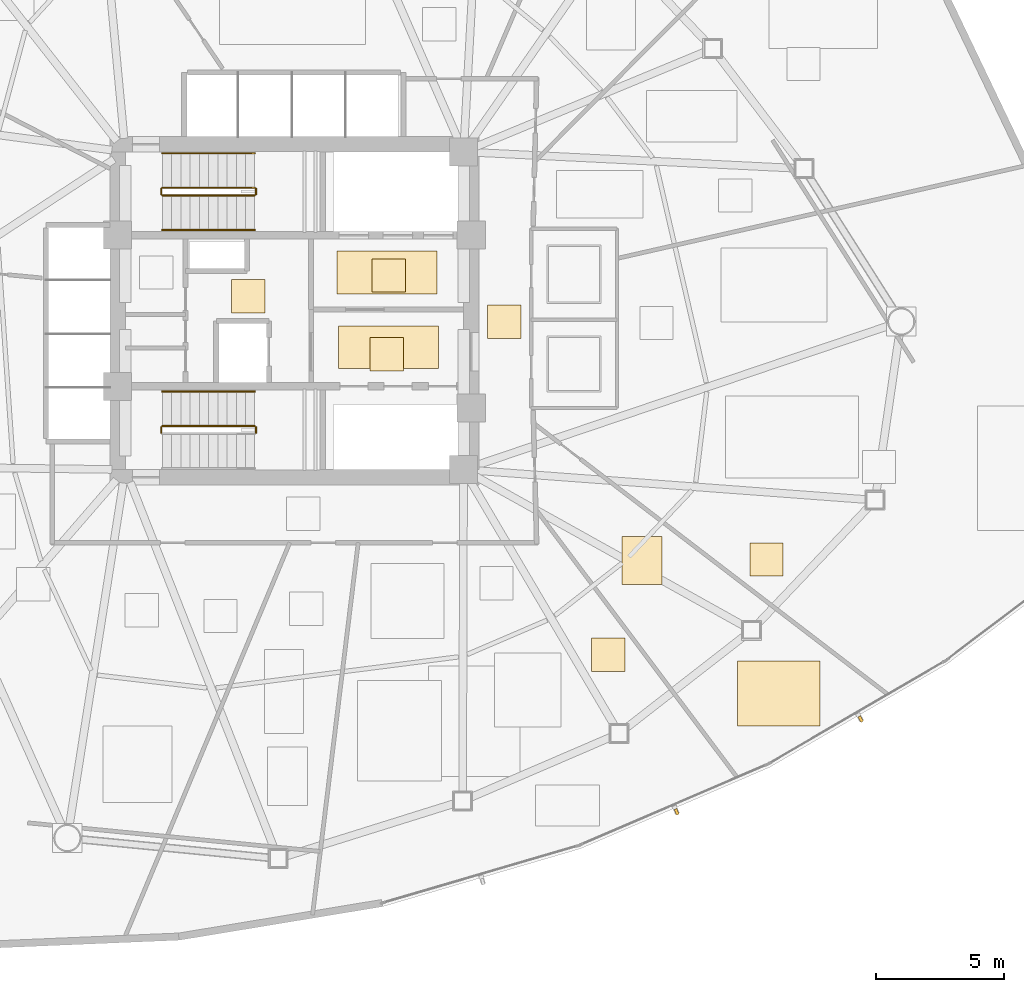
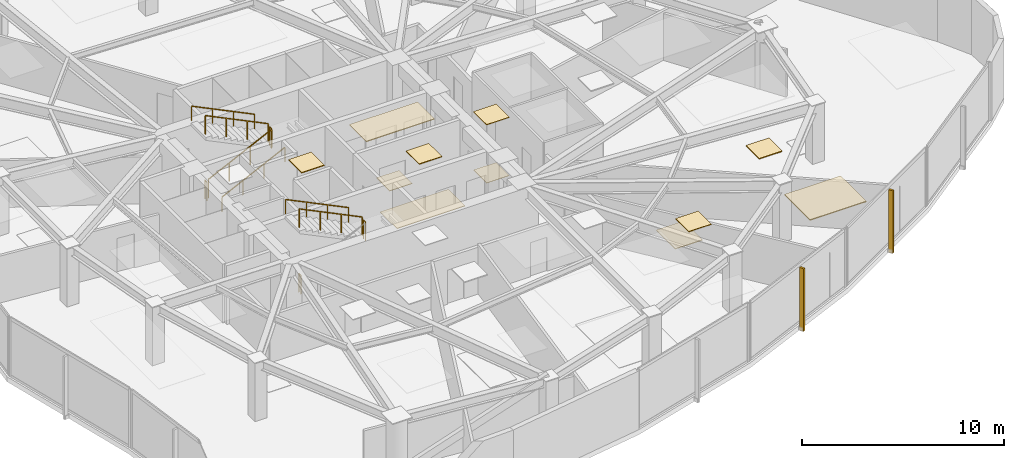
# One storey, part 15 of 17: 11 coverings, 10 railings, 2 shading devices.
"""IFC4 building model written with IfcOpenShell, lengths in metres."""

from ifc_helpers import new_model, si_unit, direction, frame, origin, origin_2d, place, context, subcontext, project, spatial, polyline, rectangle, outline, extrude, source, transform, mapped, material, layer, layer_set, type_object, type_shapes, element, save


model = new_model("IFC4")

# Units and contexts
model_context = context("Model", 3, precision=1e-05, world=origin(), true_north=direction((0.0, 1.0)))
body_context = subcontext(model_context, "Body", "Model", "MODEL_VIEW")
ifc_project = project(units=[si_unit("LENGTHUNIT", "METRE"), si_unit("AREAUNIT", "SQUARE_METRE"), si_unit("VOLUMEUNIT", "CUBIC_METRE"), si_unit("PLANEANGLEUNIT", "RADIAN"), si_unit("MASSUNIT", "GRAM", prefix="KILO")], contexts=[model_context])

# Site, building, storey
site_placement = place(None, origin())
site = spatial("IfcSite", under=ifc_project, at=site_placement, CompositionType="ELEMENT")
building_placement = place(site_placement, origin())
building = spatial("IfcBuilding", under=site, at=building_placement, Name="Tavelor Broadcast Tower", CompositionType="ELEMENT")
storey_placement = place(building_placement, frame((0.0, 0.0, 115.60009765625)))
storey = spatial("IfcBuildingStorey", under=building, at=storey_placement, Name="L26", CompositionType="ELEMENT", Elevation=115.60009765625)

# Coverings
ifc_material_1 = material(Name="Copper-Bronze Anodized Aluminium", Category="aluminium")
ifc_layer_1 = layer(ifc_material_1, 0.044921875)
ifc_layer_set_1 = layer_set([ifc_layer_1], Name="Copper-Bronze Anodized Aluminium")
covering_type_1 = type_object("IfcCoveringType", Name="Anodised Bronze Linear Slatted Concourse Ceiling 45 mm", PredefinedType="CEILING", material=ifc_layer_set_1)
covering_1_placement = place(storey_placement, frame((0.0, 0.0, 3.5048828125)))
element("IfcCovering", 1, at=covering_1_placement, inside=storey, type_object=covering_type_1, Name="L26 Suspended Acoustic Ceiling 1004", PredefinedType="CEILING", context=body_context, shape_type="SweptSolid", body=[
    extrude(outline(polyline([(51.659912109375, 45.654296875), (55.55712890625, 45.654296875), (55.55712890625, 47.331787109375), (51.659912109375, 47.331787109375), (51.659912109375, 45.654296875)])), origin(), (0.0, 0.0, 1.0), 0.044921875),
])
covering_2_placement = place(storey_placement, frame((0.0, 0.0, 3.5048828125)))
element("IfcCovering", 2, at=covering_2_placement, inside=storey, type_object=covering_type_1, Name="L26 Suspended Acoustic Ceiling 1005", PredefinedType="CEILING", context=body_context, shape_type="SweptSolid", body=[
    extrude(outline(polyline([(52.95361328125, 42.656982421875), (54.25341796875, 42.656982421875), (54.25341796875, 43.95703125), (52.95361328125, 43.95703125), (52.95361328125, 42.656982421875)])), origin(), (0.0, 0.0, 1.0), 0.044921875),
])
covering_3_placement = place(storey_placement, frame((0.0, 0.0, 3.5048828125)))
element("IfcCovering", 3, at=covering_3_placement, inside=storey, type_object=covering_type_1, Name="L26 Suspended Acoustic Ceiling 1006", PredefinedType="CEILING", context=body_context, shape_type="SweptSolid", body=[
    extrude(outline(polyline([(47.544921875, 44.919921875), (48.844970703125, 44.919921875), (48.844970703125, 46.219970703125), (47.544921875, 46.219970703125), (47.544921875, 44.919921875)])), origin(), (0.0, 0.0, 1.0), 0.044921875),
])

# Railings
ifc_material_2 = material(Name="Steel S355", Category="steel")
railing_type_1 = type_object("IfcRailingType", Name="Continuous Brushed Stainless Handrail 900 mm", PredefinedType="HANDRAIL", material=ifc_material_2)
railing_1_placement = place(storey_placement, frame((44.85009765625, 48.14990234375, 0.1748046875)))
element("IfcRailing", 4, at=railing_1_placement, inside=storey, type_object=railing_type_1, Name="L26 ST1 stair handrail 1", PredefinedType="HANDRAIL", context=body_context, shape_type="SweptSolid", body=[
    extrude(rectangle(XDim=0.048095703125, YDim=0.048095703125, at=origin_2d()), frame((0.0, 0.0, 0.8759765625), z_axis=(0.899360859046, 0.0, 0.437207096483), x_axis=(0.0, 1.0, 0.0)), (0.0, 0.0, 1.0), 4.002685546875),
    extrude(rectangle(XDim=0.0419921875, YDim=0.0419921875, at=origin_2d()), origin(), (0.0, 0.0, 1.0), 0.851806640625),
    extrude(rectangle(XDim=0.0419921875, YDim=0.0419921875, at=origin_2d()), frame((1.199951171875, 0.0, 0.583251953125)), (0.0, 0.0, 1.0), 0.851806640625),
    extrude(rectangle(XDim=0.0419921875, YDim=0.0419921875, at=origin_2d()), frame((2.39990234375, 0.0, 1.166748046875)), (0.0, 0.0, 1.0), 0.851806640625),
    extrude(rectangle(XDim=0.0419921875, YDim=0.0419921875, at=origin_2d()), frame((3.599853515625, 0.0, 1.75)), (0.0, 0.0, 1.0), 0.851806640625),
])
for number, where, name in (
    (5, (48.449951171875, 51.14990234375, 2.099853515625), "L26 ST1 stair handrail 2"),
    (6, (48.449951171875, 41.85009765625, 2.099853515625), "L26 ST2 stair handrail 2"),
):
    element("IfcRailing", number, at=place(storey_placement, frame(where)), inside=storey, type_object=railing_type_1, Name=name, PredefinedType="HANDRAIL", context=body_context, shape_type="SweptSolid", body=[
        extrude(rectangle(XDim=0.048095703125, YDim=0.048095703125, at=origin_2d()), frame((0.0, 0.0, 0.8759765625), z_axis=(-0.899360859046, 0.0, 0.437207096483), x_axis=(0.0, -1.0, 0.0)), (0.0, 0.0, 1.0), 4.002685546875),
        extrude(rectangle(XDim=0.0419921875, YDim=0.0419921875, at=origin_2d()), origin(), (0.0, 0.0, 1.0), 0.851806640625),
        extrude(rectangle(XDim=0.0419921875, YDim=0.0419921875, at=origin_2d()), frame((-1.199951171875, 0.0, 0.583251953125)), (0.0, 0.0, 1.0), 0.851806640625),
        extrude(rectangle(XDim=0.0419921875, YDim=0.0419921875, at=origin_2d()), frame((-2.39990234375, 0.0, 1.166748046875)), (0.0, 0.0, 1.0), 0.851806640625),
        extrude(rectangle(XDim=0.0419921875, YDim=0.0419921875, at=origin_2d()), frame((-3.599853515625, 0.0, 1.75)), (0.0, 0.0, 1.0), 0.851806640625),
    ])

# Coverings
ifc_material_3 = material(Name="Architectural Anodized Aluminium", Category="aluminium")
ifc_layer_2 = layer(ifc_material_3, 0.034912109375)
ifc_layer_set_2 = layer_set([ifc_layer_2], Name="Architectural Anodized Aluminium")
covering_type_2 = type_object("IfcCoveringType", Name="Demountable Metal Tile Corridor Ceiling 35 mm", PredefinedType="CEILING", material=ifc_layer_set_2)
covering_4_placement = place(storey_placement, frame((0.0, 0.0, 3.514892578125)))
element("IfcCovering", 7, at=covering_4_placement, inside=storey, type_object=covering_type_2, Name="L26 Suspended Acoustic Ceiling 1009", PredefinedType="CEILING", context=body_context, shape_type="SweptSolid", body=[
    extrude(outline(polyline([(57.5400390625, 43.925048828125), (58.840087890625, 43.925048828125), (58.840087890625, 45.22509765625), (57.5400390625, 45.22509765625), (57.5400390625, 43.925048828125)])), origin(), (0.0, 0.0, 1.0), 0.034912109375),
])
ifc_material_4 = material(Name="Acoustic Nylon Carpet Tile")
ifc_layer_3 = layer(ifc_material_4, 0.02001953125)
ifc_layer_set_3 = layer_set([ifc_layer_3], Name="Acoustic Nylon Carpet Tile")
covering_type_3 = type_object("IfcCoveringType", Name="Heavy-Duty Acoustic Broadcast Carpet Tile 20 mm", PredefinedType="FLOORING", material=ifc_layer_set_3)
covering_5_placement = place(storey_placement, origin())
element("IfcCovering", 8, at=covering_5_placement, inside=storey, type_object=covering_type_3, Name="L26 Broadcast Floor Finish 0354", PredefinedType="FLOORING", context=body_context, shape_type="SweptSolid", body=[
    extrude(outline(polyline([(57.5400390625, 43.925048828125), (58.840087890625, 43.925048828125), (58.840087890625, 45.22509765625), (57.5400390625, 45.22509765625), (57.5400390625, 43.925048828125)])), origin(), (0.0, 0.0, 1.0), 0.02001953125),
])
ifc_material_5 = material(Name="Honed Natural Limestone Tile", Category="masonry")
ifc_layer_4 = layer(ifc_material_5, 0.030029296875)
ifc_layer_set_4 = layer_set([ifc_layer_4], Name="Honed Natural Limestone Tile")
covering_type_4 = type_object("IfcCoveringType", Name="Honed Jerusalem Limestone Concourse Flooring 30 mm", PredefinedType="FLOORING", material=ifc_layer_set_4)
covering_6_placement = place(storey_placement, origin())
element("IfcCovering", 9, at=covering_6_placement, inside=storey, type_object=covering_type_4, Name="L26 Broadcast Floor Finish 0352", PredefinedType="FLOORING", context=body_context, shape_type="SweptSolid", body=[
    extrude(outline(polyline([(53.030029296875, 45.728515625), (54.330078125, 45.728515625), (54.330078125, 47.028564453125), (53.030029296875, 47.028564453125), (53.030029296875, 45.728515625)])), origin(), (0.0, 0.0, 1.0), 0.02978515625),
])
covering_7_placement = place(storey_placement, origin())
element("IfcCovering", 10, at=covering_7_placement, inside=storey, type_object=covering_type_4, Name="L26 Broadcast Floor Finish 0353", PredefinedType="FLOORING", context=body_context, shape_type="SweptSolid", body=[
    extrude(outline(polyline([(51.728759765625, 42.743408203125), (55.62109375, 42.743408203125), (55.62109375, 44.396484375), (51.728759765625, 44.396484375), (51.728759765625, 42.743408203125)])), origin(), (0.0, 0.0, 1.0), 0.02978515625),
])
ifc_material_6 = material(Name="Acoustic Hardwood Studio Flooring", Category="wood")
ifc_layer_5 = layer(ifc_material_6, 0.034912109375)
ifc_layer_set_5 = layer_set([ifc_layer_5], Name="Acoustic Hardwood Studio Flooring")
covering_type_5 = type_object("IfcCoveringType", Name="Isolated Studio Acoustic Elastomeric Floor Finish 35 mm", PredefinedType="FLOORING", material=ifc_layer_set_5)
covering_8_placement = place(storey_placement, origin())
element("IfcCovering", 11, at=covering_8_placement, inside=storey, type_object=covering_type_5, Name="L26 Broadcast Floor Finish 0359", PredefinedType="FLOORING", context=body_context, shape_type="SweptSolid", body=[
    extrude(outline(polyline([(62.781494140625, 34.31884765625), (64.33544921875, 34.31884765625), (64.33544921875, 36.1962890625), (62.781494140625, 36.1962890625), (62.781494140625, 34.31884765625)])), origin(), (0.0, 0.0, 1.0), 0.034912109375),
])
ifc_material_7 = material(Name="Acoustic Perforated Timber Baffle", Category="wood")
ifc_layer_6 = layer(ifc_material_7, 0.054931640625)
ifc_layer_set_6 = layer_set([ifc_layer_6], Name="Acoustic Perforated Timber Baffle")
covering_type_6 = type_object("IfcCoveringType", Name="Micro-Perforated Acoustic Baffle Studio Ceiling 55 mm", PredefinedType="CEILING", material=ifc_layer_set_6)
covering_9_placement = place(storey_placement, frame((0.0, 0.0, 3.494873046875)))
element("IfcCovering", 12, at=covering_9_placement, inside=storey, type_object=covering_type_6, Name="L26 Suspended Acoustic Ceiling 1020", PredefinedType="CEILING", context=body_context, shape_type="SweptSolid", body=[
    extrude(outline(polyline([(67.7705078125, 34.64599609375), (69.0703125, 34.64599609375), (69.0703125, 35.946044921875), (67.7705078125, 35.946044921875), (67.7705078125, 34.64599609375)])), origin(), (0.0, 0.0, 1.0), 0.054931640625),
])
covering_10_placement = place(storey_placement, frame((0.0, 0.0, 3.494873046875)))
element("IfcCovering", 13, at=covering_10_placement, inside=storey, type_object=covering_type_6, Name="L26 Suspended Acoustic Ceiling 1021", PredefinedType="CEILING", context=body_context, shape_type="SweptSolid", body=[
    extrude(outline(polyline([(67.29833984375, 28.804931640625), (70.514892578125, 28.804931640625), (70.514892578125, 31.342041015625), (67.29833984375, 31.342041015625), (67.29833984375, 28.804931640625)])), origin(), (0.0, 0.0, 1.0), 0.054931640625),
])

# Railings
railing_type_2 = type_object("IfcRailingType", Name="Stairwell Steel Safety Guardrail 1150 mm", PredefinedType="GUARDRAIL", material=ifc_material_2)
railing_2_placement = place(storey_placement, frame((44.85009765625, 49.5, 0.1748046875)))
element("IfcRailing", 14, at=railing_2_placement, inside=storey, type_object=railing_type_2, Name="L26 ST1 stair guard 1", PredefinedType="GUARDRAIL", context=body_context, shape_type="SweptSolid", body=[
    extrude(rectangle(XDim=0.048095703125, YDim=0.048095703125, at=origin_2d()), frame((0.0, 0.0, 1.1259765625), z_axis=(0.899360859046, 0.0, 0.437207096483), x_axis=(0.0, 1.0, 0.0)), (0.0, 0.0, 1.0), 4.002685546875),
    extrude(rectangle(XDim=0.0419921875, YDim=0.0419921875, at=origin_2d()), origin(), (0.0, 0.0, 1.0), 1.101806640625),
    extrude(rectangle(XDim=0.0419921875, YDim=0.0419921875, at=origin_2d()), frame((1.199951171875, 0.0, 0.583251953125)), (0.0, 0.0, 1.0), 1.101806640625),
    extrude(rectangle(XDim=0.0419921875, YDim=0.0419921875, at=origin_2d()), frame((2.39990234375, 0.0, 1.166748046875)), (0.0, 0.0, 1.0), 1.101806640625),
    extrude(rectangle(XDim=0.0419921875, YDim=0.0419921875, at=origin_2d()), frame((3.599853515625, 0.0, 1.75)), (0.0, 0.0, 1.0), 1.101806640625),
])
railing_3_placement = place(storey_placement, frame((48.5, 49.550048828125, 1.9248046875)))
element("IfcRailing", 15, at=railing_3_placement, inside=storey, type_object=railing_type_2, Name="L26 ST1 stair guard 2", PredefinedType="GUARDRAIL", context=body_context, shape_type="SweptSolid", body=[
    extrude(rectangle(XDim=0.048095703125, YDim=0.048095703125, at=origin_2d()), frame((0.0, 0.0, 1.1259765625), z_axis=(0.0, 1.0, 0.0), x_axis=(-1.0, 0.0, 0.0)), (0.0, 0.0, 1.0), 0.199951171875),
    extrude(rectangle(XDim=0.0419921875, YDim=0.0419921875, at=origin_2d()), origin(), (0.0, 0.0, 1.0), 1.101806640625),
    extrude(rectangle(XDim=0.0419921875, YDim=0.0419921875, at=origin_2d()), frame((0.0, 0.199951171875, 0.0)), (0.0, 0.0, 1.0), 1.101806640625),
])
railing_4_placement = place(storey_placement, frame((48.449951171875, 49.800048828125, 2.099853515625)))
element("IfcRailing", 16, at=railing_4_placement, inside=storey, type_object=railing_type_2, Name="L26 ST1 stair guard 3", PredefinedType="GUARDRAIL", context=body_context, shape_type="SweptSolid", body=[
    extrude(rectangle(XDim=0.048095703125, YDim=0.048095703125, at=origin_2d()), frame((0.0, 0.0, 1.1259765625), z_axis=(-0.899360859046, 0.0, 0.437207096483), x_axis=(0.0, -1.0, 0.0)), (0.0, 0.0, 1.0), 4.002685546875),
    extrude(rectangle(XDim=0.0419921875, YDim=0.0419921875, at=origin_2d()), origin(), (0.0, 0.0, 1.0), 1.101806640625),
    extrude(rectangle(XDim=0.0419921875, YDim=0.0419921875, at=origin_2d()), frame((-1.199951171875, 0.0, 0.583251953125)), (0.0, 0.0, 1.0), 1.101806640625),
    extrude(rectangle(XDim=0.0419921875, YDim=0.0419921875, at=origin_2d()), frame((-2.39990234375, 0.0, 1.166748046875)), (0.0, 0.0, 1.0), 1.101806640625),
    extrude(rectangle(XDim=0.0419921875, YDim=0.0419921875, at=origin_2d()), frame((-3.599853515625, 0.0, 1.75)), (0.0, 0.0, 1.0), 1.101806640625),
])
for number, where, name in (
    (17, (44.800048828125, 49.550048828125, 0.0), "L26 ST1 stair guard 4"),
    (18, (48.5, 40.25, 1.9248046875), "L26 ST2 stair guard 2"),
):
    element("IfcRailing", number, at=place(storey_placement, frame(where)), inside=storey, type_object=railing_type_2, Name=name, PredefinedType="GUARDRAIL", context=body_context, shape_type="SweptSolid", body=[
        extrude(rectangle(XDim=0.048095703125, YDim=0.048095703125, at=origin_2d()), frame((0.0, 0.0, 1.1259765625), z_axis=(0.0, 1.0, 0.0), x_axis=(-1.0, 0.0, 0.0)), (0.0, 0.0, 1.0), 0.199951171875),
        extrude(rectangle(XDim=0.0419921875, YDim=0.0419921875, at=origin_2d()), origin(), (0.0, 0.0, 1.0), 1.101806640625),
        extrude(rectangle(XDim=0.0419921875, YDim=0.0419921875, at=origin_2d()), frame((0.0, 0.199951171875, 0.0)), (0.0, 0.0, 1.0), 1.101806640625),
    ])
railing_5_placement = place(storey_placement, frame((48.449951171875, 40.5, 2.099853515625)))
element("IfcRailing", 19, at=railing_5_placement, inside=storey, type_object=railing_type_2, Name="L26 ST2 stair guard 3", PredefinedType="GUARDRAIL", context=body_context, shape_type="SweptSolid", body=[
    extrude(rectangle(XDim=0.048095703125, YDim=0.048095703125, at=origin_2d()), frame((0.0, 0.0, 1.1259765625), z_axis=(-0.899360859046, 0.0, 0.437207096483), x_axis=(0.0, -1.0, 0.0)), (0.0, 0.0, 1.0), 4.002685546875),
    extrude(rectangle(XDim=0.0419921875, YDim=0.0419921875, at=origin_2d()), origin(), (0.0, 0.0, 1.0), 1.101806640625),
    extrude(rectangle(XDim=0.0419921875, YDim=0.0419921875, at=origin_2d()), frame((-1.199951171875, 0.0, 0.583251953125)), (0.0, 0.0, 1.0), 1.101806640625),
    extrude(rectangle(XDim=0.0419921875, YDim=0.0419921875, at=origin_2d()), frame((-2.39990234375, 0.0, 1.166748046875)), (0.0, 0.0, 1.0), 1.101806640625),
    extrude(rectangle(XDim=0.0419921875, YDim=0.0419921875, at=origin_2d()), frame((-3.599853515625, 0.0, 1.75)), (0.0, 0.0, 1.0), 1.101806640625),
])
railing_6_placement = place(storey_placement, frame((44.800048828125, 40.25, 0.0)))
element("IfcRailing", 20, at=railing_6_placement, inside=storey, type_object=railing_type_2, Name="L26 ST2 stair guard 4", PredefinedType="GUARDRAIL", context=body_context, shape_type="SweptSolid", body=[
    extrude(rectangle(XDim=0.048095703125, YDim=0.048095703125, at=origin_2d()), frame((0.0, 0.0, 1.1259765625), z_axis=(0.0, 1.0, 0.0), x_axis=(-1.0, 0.0, 0.0)), (0.0, 0.0, 1.0), 0.199951171875),
    extrude(rectangle(XDim=0.0419921875, YDim=0.0419921875, at=origin_2d()), origin(), (0.0, 0.0, 1.0), 1.101806640625),
    extrude(rectangle(XDim=0.0419921875, YDim=0.0419921875, at=origin_2d()), frame((0.0, 0.199951171875, 0.0)), (0.0, 0.0, 1.0), 1.101806640625),
])

# Covering
ifc_material_8 = material(Name="Acoustic Mineral Fibre Tile")
ifc_layer_7 = layer(ifc_material_8, 0.0400390625)
ifc_layer_set_7 = layer_set([ifc_layer_7], Name="Acoustic Mineral Fibre Tile")
covering_type_7 = type_object("IfcCoveringType", Name="Suspended Acoustic Mineral-Fibre Office Ceiling 40 mm", PredefinedType="CEILING", material=ifc_layer_set_7)
covering_11_placement = place(storey_placement, frame((0.0, 0.0, 3.510009765625)))
element("IfcCovering", 21, at=covering_11_placement, inside=storey, type_object=covering_type_7, Name="L26 Suspended Acoustic Ceiling 1026", PredefinedType="CEILING", context=body_context, shape_type="SweptSolid", body=[
    extrude(outline(polyline([(61.591796875, 30.928466796875), (62.891845703125, 30.928466796875), (62.891845703125, 32.228515625), (61.591796875, 32.228515625), (61.591796875, 30.928466796875)])), origin(), (0.0, 0.0, 1.0), 0.039794921875),
])

# Shading devices
ifc_material_9 = material(Name="Kiln-Fired Glazed Terracotta", Category="masonry")
shading_device_type = type_object("IfcShadingDeviceType", Name="Extruded Terracotta Baguette Sun-Screen 110x240", PredefinedType="JALOUSIE", material=ifc_material_9)
shared_shape = source(origin(), body_context, "Body", "SweptSolid", [
    extrude(rectangle(XDim=0.110107421875, YDim=0.239990234375, at=origin_2d()), origin(), (0.0, 0.0, 1.0), 3.7900390625),
])
type_shapes(shading_device_type, [shared_shape])
for number, where, z_axis, x_axis, name in (
    (22, (64.9130859375, 25.447509765625, -0.260009765625), (0.0, 0.0, 1.0), (0.918584396813, 0.395224880204, 0.0), "L26 Terracotta Baguette Fin 246"),
    (23, (72.094970703125, 29.067626953125, -0.260009765625), (0.0, 0.0, 1.0), (0.864011302865, 0.503472410885, 0.0), "L26 Terracotta Baguette Fin 247"),
):
    element("IfcShadingDevice", number, at=place(storey_placement, frame(where, z_axis=z_axis, x_axis=x_axis)), inside=storey, type_object=shading_device_type, Name=name, PredefinedType="JALOUSIE", context=body_context, shape_type="MappedRepresentation", body=[
        mapped(shared_shape, transform((0.0, 0.0, 0.0), scale=1.0)),
    ])

save(model, "model.ifc")
